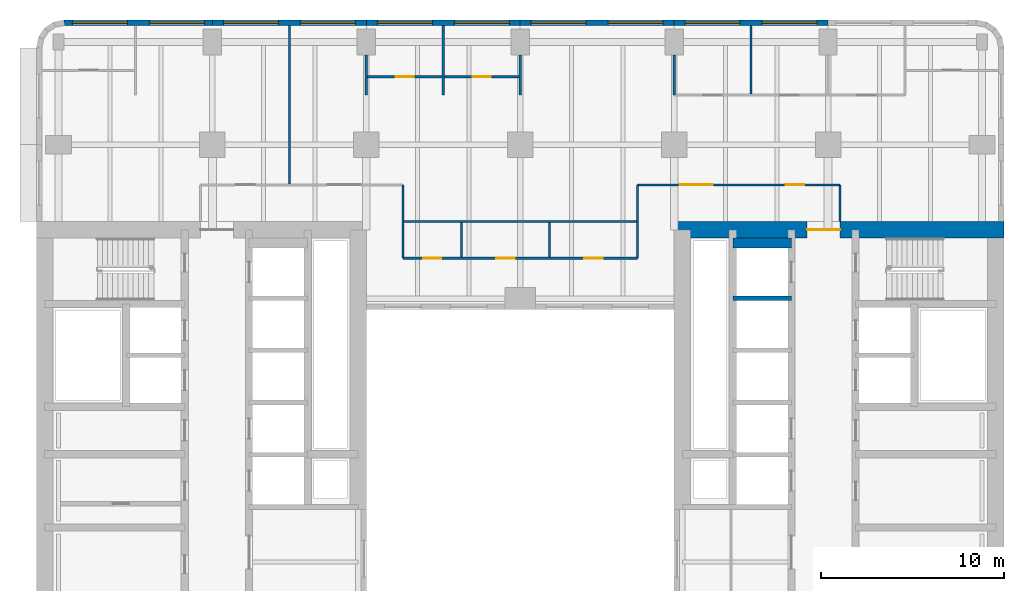
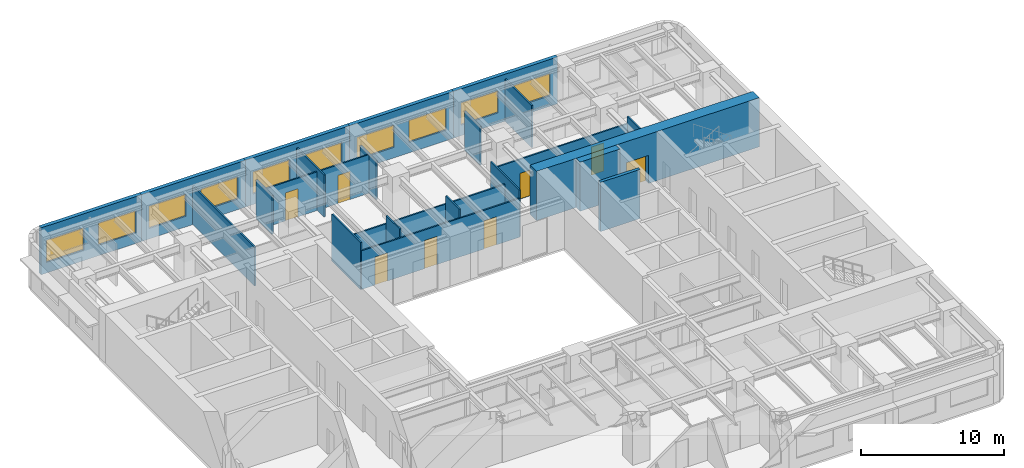
# One storey, part 7 of 11: 24 walls, 10 windows, 8 doors, 18 openings.
"""IFC4 building model written with IfcOpenShell, lengths in metres."""

from ifc_helpers import new_model, si_unit, direction, frame, frame_2d, origin, place, context, subcontext, project, spatial, rectangle, extrude, material, layer, layer_set, type_object, element, fill, save


model = new_model("IFC4")

# Units and contexts
model_context = context("Model", 3, precision=1e-05, world=origin(), true_north=direction((0.0, 1.0)))
body_context = subcontext(model_context, "Body", "Model", "MODEL_VIEW")
ifc_project = project(units=[si_unit("LENGTHUNIT", "METRE"), si_unit("AREAUNIT", "SQUARE_METRE"), si_unit("VOLUMEUNIT", "CUBIC_METRE"), si_unit("PLANEANGLEUNIT", "RADIAN"), si_unit("MASSUNIT", "GRAM", prefix="KILO")], contexts=[model_context])

# Site, building, storey
site_placement = place(None, origin())
site = spatial("IfcSite", under=ifc_project, at=site_placement, CompositionType="ELEMENT")
building_placement = place(site_placement, origin())
building = spatial("IfcBuilding", under=site, at=building_placement, Name="Claustro Exchange Tower", CompositionType="ELEMENT")
storey_placement = place(building_placement, frame((0.0, 0.0, 163.800048828125)))
storey = spatial("IfcBuildingStorey", under=building, at=storey_placement, Name="L37", CompositionType="ELEMENT", Elevation=163.800048828125)

# Wall, opening, door
ifc_material_1 = material(Name="Laminated glass in aluminium frame", Category="aluminium")
ifc_layer_1 = layer(ifc_material_1, 0.1201171875)
ifc_layer_set_1 = layer_set([ifc_layer_1], Name="Laminated glass in aluminium frame")
wall_type_1 = type_object("IfcWallType", Name="P2 120 glazed partition", PredefinedType="PARTITIONING", material=ifc_layer_set_1)
wall_1_placement = place(storey_placement, frame((16.85791015625, 45.699951171875, 0.0), z_axis=(0.0, 0.0, 1.0), x_axis=(1.0, 0.0, 0.0)))
wall_1 = element("IfcWall", 1, at=wall_1_placement, inside=storey, type_object=wall_type_1, Name="Partition P2 L37", PredefinedType="PARTITIONING", context=body_context, shape_type="SweptSolid", body=[
    extrude(rectangle(XDim=4.083984375, YDim=0.1201171875, at=frame_2d((2.0419921875, 0.0))), origin(), (0.0, 0.0, 1.0), 3.300048828125),
])
opening_1_placement = place(wall_1_placement, frame((1.5419921875, 0.0, 0.0)))
opening_1 = element("IfcOpeningElement", 2, at=opening_1_placement, cuts=wall_1, Name="Opening D7", PredefinedType="OPENING", context=body_context, shape_type="SweptSolid", body=[
    extrude(rectangle(XDim=1.0, YDim=2.39990234375, at=frame_2d((0.5, 1.199951171875))), frame((0.0, 0.070068359375, 0.0), z_axis=(0.0, -1.0, 0.0), x_axis=(1.0, 0.0, 0.0)), (0.0, 0.0, 1.0), 0.14013671875),
])
ifc_material_2 = material(Name="Glass door in aluminium frame", Category="aluminium")
door_type_1 = type_object("IfcDoorType", Name="D7 1000 x 2400 glazed door", OperationType="SINGLE_SWING_LEFT", PredefinedType="DOOR", material=ifc_material_2)
door_1_placement = place(opening_1_placement, origin())
door_1 = element("IfcDoor", 3, at=door_1_placement, inside=storey, type_object=door_type_1, Name="Door D7 L37", OperationType="SINGLE_SWING_RIGHT", OverallHeight=2.39990234375, OverallWidth=1.0, PredefinedType="DOOR", context=body_context, shape_type="SweptSolid", body=[
    extrude(rectangle(XDim=1.0, YDim=2.39990234375, at=frame_2d((0.5, 1.199951171875))), frame((0.0, 0.02490234375, 0.0), z_axis=(0.0, -1.0, 0.0), x_axis=(1.0, 0.0, 0.0)), (0.0, 0.0, 1.0), 0.050048828125),
])
fill(opening_1, door_1)

wall_2_placement = place(storey_placement, frame((21.05810546875, 45.699951171875, 0.0), z_axis=(0.0, 0.0, 1.0), x_axis=(1.0, 0.0, 0.0)))
wall_2 = element("IfcWall", 4, at=wall_2_placement, inside=storey, type_object=wall_type_1, Name="Partition P2 L37", PredefinedType="PARTITIONING", context=body_context, shape_type="SweptSolid", body=[
    extrude(rectangle(XDim=4.083984375, YDim=0.1201171875, at=frame_2d((2.0419921875, 0.0))), origin(), (0.0, 0.0, 1.0), 3.300048828125),
])
opening_2_placement = place(wall_2_placement, frame((1.5419921875, 0.0, 0.0)))
opening_2 = element("IfcOpeningElement", 5, at=opening_2_placement, cuts=wall_2, Name="Opening D7", PredefinedType="OPENING", context=body_context, shape_type="SweptSolid", body=[
    extrude(rectangle(XDim=1.0, YDim=2.39990234375, at=frame_2d((0.5, 1.199951171875))), frame((0.0, 0.070068359375, 0.0), z_axis=(0.0, -1.0, 0.0), x_axis=(1.0, 0.0, 0.0)), (0.0, 0.0, 1.0), 0.14013671875),
])
door_2_placement = place(opening_2_placement, origin())
door_2 = element("IfcDoor", 6, at=door_2_placement, inside=storey, type_object=door_type_1, Name="Door D7 L37", OperationType="SINGLE_SWING_RIGHT", OverallHeight=2.39990234375, OverallWidth=1.0, PredefinedType="DOOR", context=body_context, shape_type="SweptSolid", body=[
    extrude(rectangle(XDim=1.0, YDim=2.39990234375, at=frame_2d((0.5, 1.199951171875))), frame((0.0, 0.02490234375, 0.0), z_axis=(0.0, -1.0, 0.0), x_axis=(1.0, 0.0, 0.0)), (0.0, 0.0, 1.0), 0.050048828125),
])
fill(opening_2, door_2)

# Walls
wall_3_placement = place(storey_placement, frame((16.800048828125, 44.699951171875, 0.0), z_axis=(0.0, 0.0, 1.0), x_axis=(0.0, 1.0, 0.0)))
element("IfcWall", 7, at=wall_3_placement, inside=storey, type_object=wall_type_1, Name="Partition P2 L37", PredefinedType="PARTITIONING", context=body_context, shape_type="SweptSolid", body=[
    extrude(rectangle(XDim=2.200927734375, YDim=0.1201171875, at=frame_2d((1.1005859375, 0.0))), origin(), (0.0, 0.0, 1.0), 3.300048828125),
])
wall_4_placement = place(storey_placement, frame((21.0, 44.699951171875, 0.0), z_axis=(0.0, 0.0, 1.0), x_axis=(0.0, 1.0, 0.0)))
element("IfcWall", 8, at=wall_4_placement, inside=storey, type_object=wall_type_1, Name="Partition P2 L37", PredefinedType="PARTITIONING", context=body_context, shape_type="SweptSolid", body=[
    extrude(rectangle(XDim=3.802001953125, YDim=0.1201171875, at=frame_2d((1.90087890625, 0.0))), origin(), (0.0, 0.0, 1.0), 3.593017578125),
])
for number, where, z_axis, x_axis, name in (
    (9, (25.199951171875, 44.699951171875, 0.0), (0.0, 0.0, 1.0), (0.0, 1.0, 0.0), "Partition P2 L37"),
    (10, (33.60009765625, 44.699951171875, 0.0), (0.0, 0.0, 1.0), (0.0, 1.0, 0.0), "Partition P2 L37"),
):
    element("IfcWall", number, at=place(storey_placement, frame(where, z_axis=z_axis, x_axis=x_axis)), inside=storey, type_object=wall_type_1, Name=name, PredefinedType="PARTITIONING", context=body_context, shape_type="SweptSolid", body=[
        extrude(rectangle(XDim=2.200927734375, YDim=0.1201171875, at=frame_2d((1.1005859375, 0.0))), origin(), (0.0, 0.0, 1.0), 3.300048828125),
    ])
wall_5_placement = place(storey_placement, frame((37.800048828125, 44.758056640625, 0.0), z_axis=(0.0, 0.0, 1.0), x_axis=(0.0, 1.0, 0.0)))
element("IfcWall", 11, at=wall_5_placement, inside=storey, type_object=wall_type_1, Name="Partition P2 L37", PredefinedType="PARTITIONING", context=body_context, shape_type="SweptSolid", body=[
    extrude(rectangle(XDim=3.743896484375, YDim=0.1201171875, at=frame_2d((1.8720703125, 0.0))), origin(), (0.0, 0.0, 1.0), 3.593017578125),
])
wall_6_placement = place(storey_placement, frame((12.60009765625, 39.85791015625, 0.0), z_axis=(0.0, 0.0, 1.0), x_axis=(0.0, 1.0, 0.0)))
element("IfcWall", 12, at=wall_6_placement, inside=storey, type_object=wall_type_1, Name="Partition P2 L37", PredefinedType="PARTITIONING", context=body_context, shape_type="SweptSolid", body=[
    extrude(rectangle(XDim=8.64404296875, YDim=0.1201171875, at=frame_2d((4.322021484375, 0.0))), origin(), (0.0, 0.0, 1.0), 3.300048828125),
])

# Wall, openings, doors
wall_7_placement = place(storey_placement, frame((31.60009765625, 39.800048828125, 0.0), z_axis=(0.0, 0.0, 1.0), x_axis=(1.0, 0.0, 0.0)))
wall_7 = element("IfcWall", 13, at=wall_7_placement, inside=storey, type_object=wall_type_1, Name="Partition P2 L37", PredefinedType="PARTITIONING", context=body_context, shape_type="SweptSolid", body=[
    extrude(rectangle(XDim=11.0498046875, YDim=0.1201171875, at=frame_2d((5.52490234375, 0.0))), origin(), (0.0, 0.0, 1.0), 3.39990234375),
])
opening_3_placement = place(wall_7_placement, frame((2.300048828125, 0.0, 0.0)))
opening_3 = element("IfcOpeningElement", 14, at=opening_3_placement, cuts=wall_7, Name="Opening D2", PredefinedType="OPENING", context=body_context, shape_type="SweptSolid", body=[
    extrude(rectangle(XDim=1.800048828125, YDim=2.199951171875, at=frame_2d((0.89990234375, 1.10009765625))), frame((0.0, 0.070068359375, 0.0), z_axis=(0.0, -1.0, 0.0), x_axis=(1.0, 0.0, 0.0)), (0.0, 0.0, 1.0), 0.14013671875),
])
opening_4_placement = place(wall_7_placement, frame((8.10009765625, 0.0, 0.0)))
opening_4 = element("IfcOpeningElement", 15, at=opening_4_placement, cuts=wall_7, Name="Opening D7", PredefinedType="OPENING", context=body_context, shape_type="SweptSolid", body=[
    extrude(rectangle(XDim=1.0, YDim=2.39990234375, at=frame_2d((0.5, 1.199951171875))), frame((0.0, 0.070068359375, 0.0), z_axis=(0.0, -1.0, 0.0), x_axis=(1.0, 0.0, 0.0)), (0.0, 0.0, 1.0), 0.14013671875),
])
ifc_material_3 = material(Name="Timber door, oak veneer", Category="wood")
door_type_2 = type_object("IfcDoorType", Name="D2 1800 x 2200 double door", OperationType="DOUBLE_DOOR_SINGLE_SWING", PredefinedType="DOOR", material=ifc_material_3)
door_3_placement = place(opening_3_placement, origin())
door_3 = element("IfcDoor", 16, at=door_3_placement, inside=storey, type_object=door_type_2, Name="Double door D2 L37", OperationType="DOUBLE_DOOR_SINGLE_SWING", OverallHeight=2.199951171875, OverallWidth=1.800048828125, PredefinedType="DOOR", context=body_context, shape_type="SweptSolid", body=[
    extrude(rectangle(XDim=1.800048828125, YDim=2.199951171875, at=frame_2d((0.89990234375, 1.10009765625))), frame((0.0, 0.02490234375, 0.0), z_axis=(0.0, -1.0, 0.0), x_axis=(1.0, 0.0, 0.0)), (0.0, 0.0, 1.0), 0.050048828125),
])
fill(opening_3, door_3)
door_4_placement = place(opening_4_placement, origin())
door_4 = element("IfcDoor", 17, at=door_4_placement, inside=storey, type_object=door_type_1, Name="Door D7 L37", OperationType="SINGLE_SWING_RIGHT", OverallHeight=2.39990234375, OverallWidth=1.0, PredefinedType="DOOR", context=body_context, shape_type="SweptSolid", body=[
    extrude(rectangle(XDim=1.0, YDim=2.39990234375, at=frame_2d((0.5, 1.199951171875))), frame((0.0, 0.02490234375, 0.0), z_axis=(0.0, -1.0, 0.0), x_axis=(1.0, 0.0, 0.0)), (0.0, 0.0, 1.0), 0.050048828125),
])
fill(opening_4, door_4)

# Walls
wall_8_placement = place(storey_placement, frame((42.64990234375, 37.800048828125, 0.0), z_axis=(0.0, 0.0, 1.0), x_axis=(0.0, 1.0, 0.0)))
element("IfcWall", 18, at=wall_8_placement, inside=storey, type_object=wall_type_1, Name="Partition P2 L37", PredefinedType="PARTITIONING", context=body_context, shape_type="SweptSolid", body=[
    extrude(rectangle(XDim=2.0, YDim=0.1201171875, at=frame_2d((1.0, 0.0))), origin(), (0.0, 0.0, 1.0), 4.0),
])
for number, where, z_axis, x_axis, name in (
    (19, (18.800048828125, 35.800048828125, 0.0), (0.0, 0.0, 1.0), (0.0, 1.0, 0.0), "Partition P2 L37"),
    (20, (31.60009765625, 35.800048828125, 0.0), (0.0, 0.0, 1.0), (0.0, 1.0, 0.0), "Partition P2 L37"),
):
    element("IfcWall", number, at=place(storey_placement, frame(where, z_axis=z_axis, x_axis=x_axis)), inside=storey, type_object=wall_type_1, Name=name, PredefinedType="PARTITIONING", context=body_context, shape_type="SweptSolid", body=[
        extrude(rectangle(XDim=4.0, YDim=0.1201171875, at=frame_2d((2.0, 0.0))), origin(), (0.0, 0.0, 1.0), 4.0),
    ])
for number, where, z_axis, x_axis, name in (
    (21, (22.0, 35.85791015625, 0.0), (0.0, 0.0, 1.0), (0.0, 1.0, 0.0), "Partition P2 L37"),
    (22, (26.800048828125, 35.85791015625, 0.0), (0.0, 0.0, 1.0), (0.0, 1.0, 0.0), "Partition P2 L37"),
):
    element("IfcWall", number, at=place(storey_placement, frame(where, z_axis=z_axis, x_axis=x_axis)), inside=storey, type_object=wall_type_1, Name=name, PredefinedType="PARTITIONING", context=body_context, shape_type="SweptSolid", body=[
        extrude(rectangle(XDim=1.884033203125, YDim=0.1201171875, at=frame_2d((0.94189453125, 0.0))), origin(), (0.0, 0.0, 1.0), 4.0),
    ])

# Wall, openings, doors
wall_9_placement = place(storey_placement, frame((18.800048828125, 35.800048828125, 0.0), z_axis=(0.0, 0.0, 1.0), x_axis=(1.0, 0.0, 0.0)))
wall_9 = element("IfcWall", 23, at=wall_9_placement, inside=storey, type_object=wall_type_1, Name="Partition P2 L37", PredefinedType="PARTITIONING", context=body_context, shape_type="SweptSolid", body=[
    extrude(rectangle(XDim=12.800048828125, YDim=0.1201171875, at=frame_2d((6.39990234375, 0.0))), origin(), (0.0, 0.0, 1.0), 3.300048828125),
])
opening_5_placement = place(wall_9_placement, frame((1.10009765625, 0.0, 0.0)))
opening_5 = element("IfcOpeningElement", 24, at=opening_5_placement, cuts=wall_9, Name="Opening D7", PredefinedType="OPENING", context=body_context, shape_type="SweptSolid", body=[
    extrude(rectangle(XDim=1.0, YDim=2.39990234375, at=frame_2d((0.5, 1.199951171875))), frame((0.0, 0.070068359375, 0.0), z_axis=(0.0, -1.0, 0.0), x_axis=(1.0, 0.0, 0.0)), (0.0, 0.0, 1.0), 0.14013671875),
])
opening_6_placement = place(wall_9_placement, frame((5.10009765625, 0.0, 0.0)))
opening_6 = element("IfcOpeningElement", 25, at=opening_6_placement, cuts=wall_9, Name="Opening D7", PredefinedType="OPENING", context=body_context, shape_type="SweptSolid", body=[
    extrude(rectangle(XDim=1.0, YDim=2.39990234375, at=frame_2d((0.5, 1.199951171875))), frame((0.0, 0.070068359375, 0.0), z_axis=(0.0, -1.0, 0.0), x_axis=(1.0, 0.0, 0.0)), (0.0, 0.0, 1.0), 0.14013671875),
])
opening_7_placement = place(wall_9_placement, frame((9.89990234375, 0.0, 0.0)))
opening_7 = element("IfcOpeningElement", 26, at=opening_7_placement, cuts=wall_9, Name="Opening D7", PredefinedType="OPENING", context=body_context, shape_type="SweptSolid", body=[
    extrude(rectangle(XDim=1.0, YDim=2.39990234375, at=frame_2d((0.5, 1.199951171875))), frame((0.0, 0.070068359375, 0.0), z_axis=(0.0, -1.0, 0.0), x_axis=(1.0, 0.0, 0.0)), (0.0, 0.0, 1.0), 0.14013671875),
])
door_5_placement = place(opening_5_placement, origin())
door_5 = element("IfcDoor", 27, at=door_5_placement, inside=storey, type_object=door_type_1, Name="Door D7 L37", OperationType="SINGLE_SWING_RIGHT", OverallHeight=2.39990234375, OverallWidth=1.0, PredefinedType="DOOR", context=body_context, shape_type="SweptSolid", body=[
    extrude(rectangle(XDim=1.0, YDim=2.39990234375, at=frame_2d((0.5, 1.199951171875))), frame((0.0, 0.02490234375, 0.0), z_axis=(0.0, -1.0, 0.0), x_axis=(1.0, 0.0, 0.0)), (0.0, 0.0, 1.0), 0.050048828125),
])
fill(opening_5, door_5)
door_6_placement = place(opening_6_placement, origin())
door_6 = element("IfcDoor", 28, at=door_6_placement, inside=storey, type_object=door_type_1, Name="Door D7 L37", OperationType="SINGLE_SWING_LEFT", OverallHeight=2.39990234375, OverallWidth=1.0, PredefinedType="DOOR", context=body_context, shape_type="SweptSolid", body=[
    extrude(rectangle(XDim=1.0, YDim=2.39990234375, at=frame_2d((0.5, 1.199951171875))), frame((0.0, 0.02490234375, 0.0), z_axis=(0.0, -1.0, 0.0), x_axis=(1.0, 0.0, 0.0)), (0.0, 0.0, 1.0), 0.050048828125),
])
fill(opening_6, door_6)
door_7_placement = place(opening_7_placement, origin())
door_7 = element("IfcDoor", 29, at=door_7_placement, inside=storey, type_object=door_type_1, Name="Door D7 L37", OperationType="SINGLE_SWING_LEFT", OverallHeight=2.39990234375, OverallWidth=1.0, PredefinedType="DOOR", context=body_context, shape_type="SweptSolid", body=[
    extrude(rectangle(XDim=1.0, YDim=2.39990234375, at=frame_2d((0.5, 1.199951171875))), frame((0.0, 0.02490234375, 0.0), z_axis=(0.0, -1.0, 0.0), x_axis=(1.0, 0.0, 0.0)), (0.0, 0.0, 1.0), 0.050048828125),
])
fill(opening_7, door_7)

# Wall
wall_10_placement = place(storey_placement, frame((18.85791015625, 37.800048828125, 0.0), z_axis=(0.0, 0.0, 1.0), x_axis=(1.0, 0.0, 0.0)))
element("IfcWall", 30, at=wall_10_placement, inside=storey, type_object=wall_type_1, Name="Partition P2 L37", PredefinedType="PARTITIONING", context=body_context, shape_type="SweptSolid", body=[
    extrude(rectangle(XDim=12.68408203125, YDim=0.1201171875, at=frame_2d((6.342041015625, 0.0))), origin(), (0.0, 0.0, 1.0), 3.300048828125),
])

# Wall, openings, windows
ifc_material_4 = material(Name="Concrete HA-40 (C40/50), precast, white cement, acid-etched", Category="concrete")
ifc_layer_2 = layer(ifc_material_4, 0.300048828125)
ifc_layer_set_2 = layer_set([ifc_layer_2], Name="Concrete HA-40 (C40/50), precast, white cement, acid-etched")
wall_type_2 = type_object("IfcWallType", Name="PC1 300 precast concrete pier panel", PredefinedType="SOLIDWALL", material=ifc_layer_set_2)
wall_11_placement = place(storey_placement, frame((0.314697265625, 48.64990234375, 0.0), z_axis=(0.0, 0.0, 1.0), x_axis=(1.0, 0.0, 0.0)))
wall_11 = element("IfcWall", 31, at=wall_11_placement, inside=storey, type_object=wall_type_2, Name="Precast pier panel PC1 L37", PredefinedType="SOLIDWALL", context=body_context, shape_type="SweptSolid", body=[
    extrude(rectangle(XDim=8.085205078125, YDim=0.300048828125, at=frame_2d((4.04248046875, 0.0))), origin(), (0.0, 0.0, 1.0), 4.0),
])
opening_8_placement = place(wall_11_placement, frame((0.442626953125, 0.0, 0.89990234375)))
opening_8 = element("IfcOpeningElement", 32, at=opening_8_placement, cuts=wall_11, Name="Opening W1", PredefinedType="OPENING", context=body_context, shape_type="SweptSolid", body=[
    extrude(rectangle(XDim=3.0, YDim=1.89990234375, at=frame_2d((1.5, 0.949951171875))), frame((0.0, 0.159912109375, 0.0), z_axis=(0.0, -1.0, 0.0), x_axis=(1.0, 0.0, 0.0)), (0.0, 0.0, 1.0), 0.320068359375),
])
opening_9_placement = place(wall_11_placement, frame((4.642578125, 0.0, 0.89990234375)))
opening_9 = element("IfcOpeningElement", 33, at=opening_9_placement, cuts=wall_11, Name="Opening W1", PredefinedType="OPENING", context=body_context, shape_type="SweptSolid", body=[
    extrude(rectangle(XDim=3.0, YDim=1.89990234375, at=frame_2d((1.5, 0.949951171875))), frame((0.0, 0.159912109375, 0.0), z_axis=(0.0, -1.0, 0.0), x_axis=(1.0, 0.0, 0.0)), (0.0, 0.0, 1.0), 0.320068359375),
])
ifc_material_5 = material(Name="Aluminium frame, clear double glazing", Category="aluminium")
window_type = type_object("IfcWindowType", Name="W1 3000 x 1900 window", PartitioningType="SINGLE_PANEL", PredefinedType="WINDOW", material=ifc_material_5)
window_1_placement = place(opening_8_placement, origin())
window_1 = element("IfcWindow", 34, at=window_1_placement, inside=storey, type_object=window_type, Name="Window W1 L37", OverallHeight=1.89990234375, OverallWidth=3.0, PartitioningType="SINGLE_PANEL", PredefinedType="WINDOW", context=body_context, shape_type="SweptSolid", body=[
    extrude(rectangle(XDim=3.0, YDim=1.89990234375, at=frame_2d((1.5, 0.949951171875))), frame((0.0, 0.030029296875, 0.0), z_axis=(0.0, -1.0, 0.0), x_axis=(1.0, 0.0, 0.0)), (0.0, 0.0, 1.0), 0.06005859375),
])
fill(opening_8, window_1)
window_2_placement = place(opening_9_placement, origin())
window_2 = element("IfcWindow", 35, at=window_2_placement, inside=storey, type_object=window_type, Name="Window W1 L37", OverallHeight=1.89990234375, OverallWidth=3.0, PartitioningType="SINGLE_PANEL", PredefinedType="WINDOW", context=body_context, shape_type="SweptSolid", body=[
    extrude(rectangle(XDim=3.0, YDim=1.89990234375, at=frame_2d((1.5, 0.949951171875))), frame((0.0, 0.030029296875, 0.0), z_axis=(0.0, -1.0, 0.0), x_axis=(1.0, 0.0, 0.0)), (0.0, 0.0, 1.0), 0.06005859375),
])
fill(opening_9, window_2)

wall_12_placement = place(storey_placement, frame((8.39990234375, 48.64990234375, 0.0), z_axis=(0.0, 0.0, 1.0), x_axis=(1.0, 0.0, 0.0)))
wall_12 = element("IfcWall", 36, at=wall_12_placement, inside=storey, type_object=wall_type_2, Name="Precast pier panel PC1 L37", PredefinedType="SOLIDWALL", context=body_context, shape_type="SweptSolid", body=[
    extrude(rectangle(XDim=8.400146484375, YDim=0.300048828125, at=frame_2d((4.2001953125, 0.0))), origin(), (0.0, 0.0, 1.0), 4.0),
])
opening_10_placement = place(wall_12_placement, frame((0.60009765625, 0.0, 0.89990234375)))
opening_10 = element("IfcOpeningElement", 37, at=opening_10_placement, cuts=wall_12, Name="Opening W1", PredefinedType="OPENING", context=body_context, shape_type="SweptSolid", body=[
    extrude(rectangle(XDim=3.0, YDim=1.89990234375, at=frame_2d((1.5, 0.949951171875))), frame((0.0, 0.159912109375, 0.0), z_axis=(0.0, -1.0, 0.0), x_axis=(1.0, 0.0, 0.0)), (0.0, 0.0, 1.0), 0.320068359375),
])
opening_11_placement = place(wall_12_placement, frame((4.800048828125, 0.0, 0.89990234375)))
opening_11 = element("IfcOpeningElement", 38, at=opening_11_placement, cuts=wall_12, Name="Opening W1", PredefinedType="OPENING", context=body_context, shape_type="SweptSolid", body=[
    extrude(rectangle(XDim=3.0, YDim=1.89990234375, at=frame_2d((1.5, 0.949951171875))), frame((0.0, 0.159912109375, 0.0), z_axis=(0.0, -1.0, 0.0), x_axis=(1.0, 0.0, 0.0)), (0.0, 0.0, 1.0), 0.320068359375),
])
window_3_placement = place(opening_10_placement, origin())
window_3 = element("IfcWindow", 39, at=window_3_placement, inside=storey, type_object=window_type, Name="Window W1 L37", OverallHeight=1.89990234375, OverallWidth=3.0, PartitioningType="SINGLE_PANEL", PredefinedType="WINDOW", context=body_context, shape_type="SweptSolid", body=[
    extrude(rectangle(XDim=3.0, YDim=1.89990234375, at=frame_2d((1.5, 0.949951171875))), frame((0.0, 0.030029296875, 0.0), z_axis=(0.0, -1.0, 0.0), x_axis=(1.0, 0.0, 0.0)), (0.0, 0.0, 1.0), 0.06005859375),
])
fill(opening_10, window_3)
window_4_placement = place(opening_11_placement, origin())
window_4 = element("IfcWindow", 40, at=window_4_placement, inside=storey, type_object=window_type, Name="Window W1 L37", OverallHeight=1.89990234375, OverallWidth=3.0, PartitioningType="SINGLE_PANEL", PredefinedType="WINDOW", context=body_context, shape_type="SweptSolid", body=[
    extrude(rectangle(XDim=3.0, YDim=1.89990234375, at=frame_2d((1.5, 0.949951171875))), frame((0.0, 0.030029296875, 0.0), z_axis=(0.0, -1.0, 0.0), x_axis=(1.0, 0.0, 0.0)), (0.0, 0.0, 1.0), 0.06005859375),
])
fill(opening_11, window_4)

wall_13_placement = place(storey_placement, frame((16.800048828125, 48.64990234375, 0.0), z_axis=(0.0, 0.0, 1.0), x_axis=(1.0, 0.0, 0.0)))
wall_13 = element("IfcWall", 41, at=wall_13_placement, inside=storey, type_object=wall_type_2, Name="Precast pier panel PC1 L37", PredefinedType="SOLIDWALL", context=body_context, shape_type="SweptSolid", body=[
    extrude(rectangle(XDim=8.39990234375, YDim=0.300048828125, at=frame_2d((4.199951171875, 0.0))), origin(), (0.0, 0.0, 1.0), 4.0),
])
opening_12_placement = place(wall_13_placement, frame((0.60009765625, 0.0, 0.89990234375)))
opening_12 = element("IfcOpeningElement", 42, at=opening_12_placement, cuts=wall_13, Name="Opening W1", PredefinedType="OPENING", context=body_context, shape_type="SweptSolid", body=[
    extrude(rectangle(XDim=3.0, YDim=1.89990234375, at=frame_2d((1.5, 0.949951171875))), frame((0.0, 0.159912109375, 0.0), z_axis=(0.0, -1.0, 0.0), x_axis=(1.0, 0.0, 0.0)), (0.0, 0.0, 1.0), 0.320068359375),
])
opening_13_placement = place(wall_13_placement, frame((4.800048828125, 0.0, 0.89990234375)))
opening_13 = element("IfcOpeningElement", 43, at=opening_13_placement, cuts=wall_13, Name="Opening W1", PredefinedType="OPENING", context=body_context, shape_type="SweptSolid", body=[
    extrude(rectangle(XDim=3.0, YDim=1.89990234375, at=frame_2d((1.5, 0.949951171875))), frame((0.0, 0.159912109375, 0.0), z_axis=(0.0, -1.0, 0.0), x_axis=(1.0, 0.0, 0.0)), (0.0, 0.0, 1.0), 0.320068359375),
])
window_5_placement = place(opening_12_placement, origin())
window_5 = element("IfcWindow", 44, at=window_5_placement, inside=storey, type_object=window_type, Name="Window W1 L37", OverallHeight=1.89990234375, OverallWidth=3.0, PartitioningType="SINGLE_PANEL", PredefinedType="WINDOW", context=body_context, shape_type="SweptSolid", body=[
    extrude(rectangle(XDim=3.0, YDim=1.89990234375, at=frame_2d((1.5, 0.949951171875))), frame((0.0, 0.030029296875, 0.0), z_axis=(0.0, -1.0, 0.0), x_axis=(1.0, 0.0, 0.0)), (0.0, 0.0, 1.0), 0.06005859375),
])
fill(opening_12, window_5)
window_6_placement = place(opening_13_placement, origin())
window_6 = element("IfcWindow", 45, at=window_6_placement, inside=storey, type_object=window_type, Name="Window W1 L37", OverallHeight=1.89990234375, OverallWidth=3.0, PartitioningType="SINGLE_PANEL", PredefinedType="WINDOW", context=body_context, shape_type="SweptSolid", body=[
    extrude(rectangle(XDim=3.0, YDim=1.89990234375, at=frame_2d((1.5, 0.949951171875))), frame((0.0, 0.030029296875, 0.0), z_axis=(0.0, -1.0, 0.0), x_axis=(1.0, 0.0, 0.0)), (0.0, 0.0, 1.0), 0.06005859375),
])
fill(opening_13, window_6)

wall_14_placement = place(storey_placement, frame((25.199951171875, 48.64990234375, 0.0), z_axis=(0.0, 0.0, 1.0), x_axis=(1.0, 0.0, 0.0)))
wall_14 = element("IfcWall", 46, at=wall_14_placement, inside=storey, type_object=wall_type_2, Name="Precast pier panel PC1 L37", PredefinedType="SOLIDWALL", context=body_context, shape_type="SweptSolid", body=[
    extrude(rectangle(XDim=8.400146484375, YDim=0.300048828125, at=frame_2d((4.2001953125, 0.0))), origin(), (0.0, 0.0, 1.0), 4.0),
])
opening_14_placement = place(wall_14_placement, frame((0.60009765625, 0.0, 0.89990234375)))
opening_14 = element("IfcOpeningElement", 47, at=opening_14_placement, cuts=wall_14, Name="Opening W1", PredefinedType="OPENING", context=body_context, shape_type="SweptSolid", body=[
    extrude(rectangle(XDim=3.0, YDim=1.89990234375, at=frame_2d((1.5, 0.949951171875))), frame((0.0, 0.159912109375, 0.0), z_axis=(0.0, -1.0, 0.0), x_axis=(1.0, 0.0, 0.0)), (0.0, 0.0, 1.0), 0.320068359375),
])
opening_15_placement = place(wall_14_placement, frame((4.800048828125, 0.0, 0.89990234375)))
opening_15 = element("IfcOpeningElement", 48, at=opening_15_placement, cuts=wall_14, Name="Opening W1", PredefinedType="OPENING", context=body_context, shape_type="SweptSolid", body=[
    extrude(rectangle(XDim=3.0, YDim=1.89990234375, at=frame_2d((1.5, 0.949951171875))), frame((0.0, 0.159912109375, 0.0), z_axis=(0.0, -1.0, 0.0), x_axis=(1.0, 0.0, 0.0)), (0.0, 0.0, 1.0), 0.320068359375),
])
window_7_placement = place(opening_14_placement, origin())
window_7 = element("IfcWindow", 49, at=window_7_placement, inside=storey, type_object=window_type, Name="Window W1 L37", OverallHeight=1.89990234375, OverallWidth=3.0, PartitioningType="SINGLE_PANEL", PredefinedType="WINDOW", context=body_context, shape_type="SweptSolid", body=[
    extrude(rectangle(XDim=3.0, YDim=1.89990234375, at=frame_2d((1.5, 0.949951171875))), frame((0.0, 0.030029296875, 0.0), z_axis=(0.0, -1.0, 0.0), x_axis=(1.0, 0.0, 0.0)), (0.0, 0.0, 1.0), 0.06005859375),
])
fill(opening_14, window_7)
window_8_placement = place(opening_15_placement, origin())
window_8 = element("IfcWindow", 50, at=window_8_placement, inside=storey, type_object=window_type, Name="Window W1 L37", OverallHeight=1.89990234375, OverallWidth=3.0, PartitioningType="SINGLE_PANEL", PredefinedType="WINDOW", context=body_context, shape_type="SweptSolid", body=[
    extrude(rectangle(XDim=3.0, YDim=1.89990234375, at=frame_2d((1.5, 0.949951171875))), frame((0.0, 0.030029296875, 0.0), z_axis=(0.0, -1.0, 0.0), x_axis=(1.0, 0.0, 0.0)), (0.0, 0.0, 1.0), 0.06005859375),
])
fill(opening_15, window_8)

wall_15_placement = place(storey_placement, frame((33.60009765625, 48.64990234375, 0.0), z_axis=(0.0, 0.0, 1.0), x_axis=(1.0, 0.0, 0.0)))
wall_15 = element("IfcWall", 51, at=wall_15_placement, inside=storey, type_object=wall_type_2, Name="Precast pier panel PC1 L37", PredefinedType="SOLIDWALL", context=body_context, shape_type="SweptSolid", body=[
    extrude(rectangle(XDim=8.39990234375, YDim=0.300048828125, at=frame_2d((4.199951171875, 0.0))), origin(), (0.0, 0.0, 1.0), 4.0),
])
opening_16_placement = place(wall_15_placement, frame((0.60009765625, 0.0, 0.89990234375)))
opening_16 = element("IfcOpeningElement", 52, at=opening_16_placement, cuts=wall_15, Name="Opening W1", PredefinedType="OPENING", context=body_context, shape_type="SweptSolid", body=[
    extrude(rectangle(XDim=3.0, YDim=1.89990234375, at=frame_2d((1.5, 0.949951171875))), frame((0.0, 0.159912109375, 0.0), z_axis=(0.0, -1.0, 0.0), x_axis=(1.0, 0.0, 0.0)), (0.0, 0.0, 1.0), 0.320068359375),
])
opening_17_placement = place(wall_15_placement, frame((4.800048828125, 0.0, 0.89990234375)))
opening_17 = element("IfcOpeningElement", 53, at=opening_17_placement, cuts=wall_15, Name="Opening W1", PredefinedType="OPENING", context=body_context, shape_type="SweptSolid", body=[
    extrude(rectangle(XDim=3.0, YDim=1.89990234375, at=frame_2d((1.5, 0.949951171875))), frame((0.0, 0.159912109375, 0.0), z_axis=(0.0, -1.0, 0.0), x_axis=(1.0, 0.0, 0.0)), (0.0, 0.0, 1.0), 0.320068359375),
])
window_9_placement = place(opening_16_placement, origin())
window_9 = element("IfcWindow", 54, at=window_9_placement, inside=storey, type_object=window_type, Name="Window W1 L37", OverallHeight=1.89990234375, OverallWidth=3.0, PartitioningType="SINGLE_PANEL", PredefinedType="WINDOW", context=body_context, shape_type="SweptSolid", body=[
    extrude(rectangle(XDim=3.0, YDim=1.89990234375, at=frame_2d((1.5, 0.949951171875))), frame((0.0, 0.030029296875, 0.0), z_axis=(0.0, -1.0, 0.0), x_axis=(1.0, 0.0, 0.0)), (0.0, 0.0, 1.0), 0.06005859375),
])
fill(opening_16, window_9)
window_10_placement = place(opening_17_placement, origin())
window_10 = element("IfcWindow", 55, at=window_10_placement, inside=storey, type_object=window_type, Name="Window W1 L37", OverallHeight=1.89990234375, OverallWidth=3.0, PartitioningType="SINGLE_PANEL", PredefinedType="WINDOW", context=body_context, shape_type="SweptSolid", body=[
    extrude(rectangle(XDim=3.0, YDim=1.89990234375, at=frame_2d((1.5, 0.949951171875))), frame((0.0, 0.030029296875, 0.0), z_axis=(0.0, -1.0, 0.0), x_axis=(1.0, 0.0, 0.0)), (0.0, 0.0, 1.0), 0.06005859375),
])
fill(opening_17, window_10)

# Wall, opening, door
ifc_material_6 = material(Name="Concrete HA-70 (C70/85)", Category="concrete")
ifc_layer_3 = layer(ifc_material_6, 0.89990234375)
ifc_layer_set_3 = layer_set([ifc_layer_3], Name="Concrete HA-70 (C70/85)")
wall_type_3 = type_object("IfcWallType", Name="SW1 900 core shear wall", PredefinedType="SHEAR", material=ifc_layer_set_3)
wall_16_placement = place(storey_placement, frame((33.60009765625, 37.35009765625, 0.0), z_axis=(0.0, 0.0, 1.0), x_axis=(1.0, 0.0, 0.0)))
wall_16 = element("IfcWall", 56, at=wall_16_placement, inside=storey, type_object=wall_type_3, Name="Core wall SW1 E core N face L37", PredefinedType="SHEAR", context=body_context, shape_type="SweptSolid", body=[
    extrude(rectangle(XDim=18.0, YDim=0.89990234375, at=frame_2d((9.0, 0.0))), origin(), (0.0, 0.0, 1.0), 4.199951171875),
])
opening_18_placement = place(wall_16_placement, frame((7.25, 0.0, 0.0)))
opening_18 = element("IfcOpeningElement", 57, at=opening_18_placement, cuts=wall_16, Name="Opening D3", PredefinedType="OPENING", context=body_context, shape_type="SweptSolid", body=[
    extrude(rectangle(XDim=1.800048828125, YDim=2.39990234375, at=frame_2d((0.89990234375, 1.199951171875))), frame((0.0, 0.4599609375, 0.0), z_axis=(0.0, -1.0, 0.0), x_axis=(1.0, 0.0, 0.0)), (0.0, 0.0, 1.0), 0.919921875),
])
ifc_material_7 = material(Name="Steel fire door, painted", Category="steel")
door_type_3 = type_object("IfcDoorType", Name="D3 1800 x 2400 fire-rated lobby double door", OperationType="DOUBLE_DOOR_SINGLE_SWING", PredefinedType="DOOR", material=ifc_material_7)
door_8_placement = place(opening_18_placement, frame((1.800048828125, 0.0, 0.0), z_axis=(0.0, 0.0, 1.0), x_axis=(-1.0, 0.0, 0.0)))
door_8 = element("IfcDoor", 58, at=door_8_placement, inside=storey, type_object=door_type_3, Name="Lift lobby door D3 L37", OperationType="DOUBLE_DOOR_SINGLE_SWING", OverallHeight=2.39990234375, OverallWidth=1.800048828125, PredefinedType="DOOR", context=body_context, shape_type="SweptSolid", body=[
    extrude(rectangle(XDim=1.800048828125, YDim=2.39990234375, at=frame_2d((0.89990234375, 1.199951171875))), frame((0.0, 0.02490234375, 0.0), z_axis=(0.0, -1.0, 0.0), x_axis=(1.0, 0.0, 0.0)), (0.0, 0.0, 1.0), 0.050048828125),
])
fill(opening_18, door_8)

# Walls
ifc_material_8 = material(Name="Concrete HA-50 (C50/60)", Category="concrete")
ifc_layer_4 = layer(ifc_material_8, 0.25)
ifc_layer_set_4 = layer_set([ifc_layer_4], Name="Concrete HA-50 (C50/60)")
wall_type_4 = type_object("IfcWallType", Name="SW5 250 lift shaft divider wall", PredefinedType="SHEAR", material=ifc_layer_set_4)
wall_17_placement = place(storey_placement, frame((40.0, 33.625, 0.0), z_axis=(0.0, 0.0, 1.0), x_axis=(-1.0, 0.0, 0.0)))
element("IfcWall", 59, at=wall_17_placement, inside=storey, type_object=wall_type_4, Name="Lift shaft wall E core L37", PredefinedType="SHEAR", context=body_context, shape_type="SweptSolid", body=[
    extrude(rectangle(XDim=3.199951171875, YDim=0.25, at=frame_2d((1.60009765625, 0.0))), origin(), (0.0, 0.0, 1.0), 4.199951171875),
])
ifc_material_9 = material(Name="Concrete HA-50 (C50/60)", Category="concrete")
ifc_layer_5 = layer(ifc_material_9, 0.550048828125)
ifc_layer_set_5 = layer_set([ifc_layer_5], Name="Concrete HA-50 (C50/60)")
wall_type_5 = type_object("IfcWallType", Name="SW6 550 lift shaft end wall", PredefinedType="SHEAR", material=ifc_layer_set_5)
wall_18_placement = place(storey_placement, frame((40.0, 36.625, 0.0), z_axis=(0.0, 0.0, 1.0), x_axis=(-1.0, 0.0, 0.0)))
element("IfcWall", 60, at=wall_18_placement, inside=storey, type_object=wall_type_5, Name="Lift shaft wall E core L37", PredefinedType="SHEAR", context=body_context, shape_type="SweptSolid", body=[
    extrude(rectangle(XDim=3.199951171875, YDim=0.550048828125, at=frame_2d((1.60009765625, 0.0))), origin(), (0.0, 0.0, 1.0), 4.199951171875),
])

save(model, "model.ifc")
